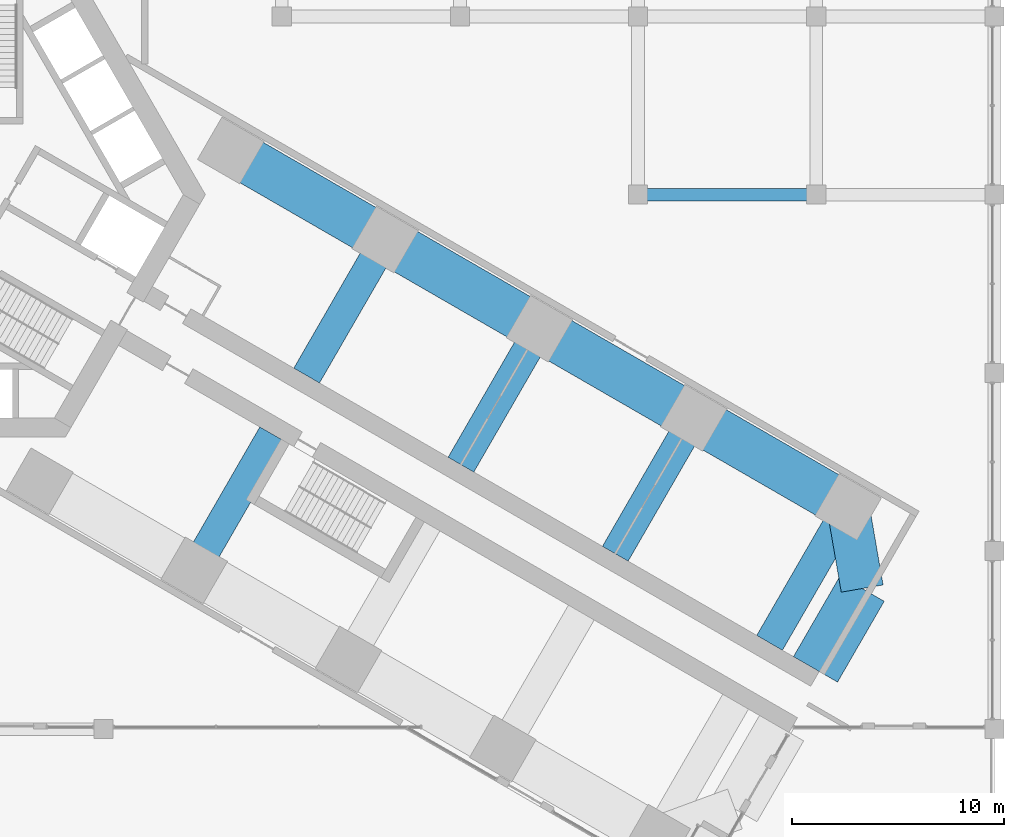
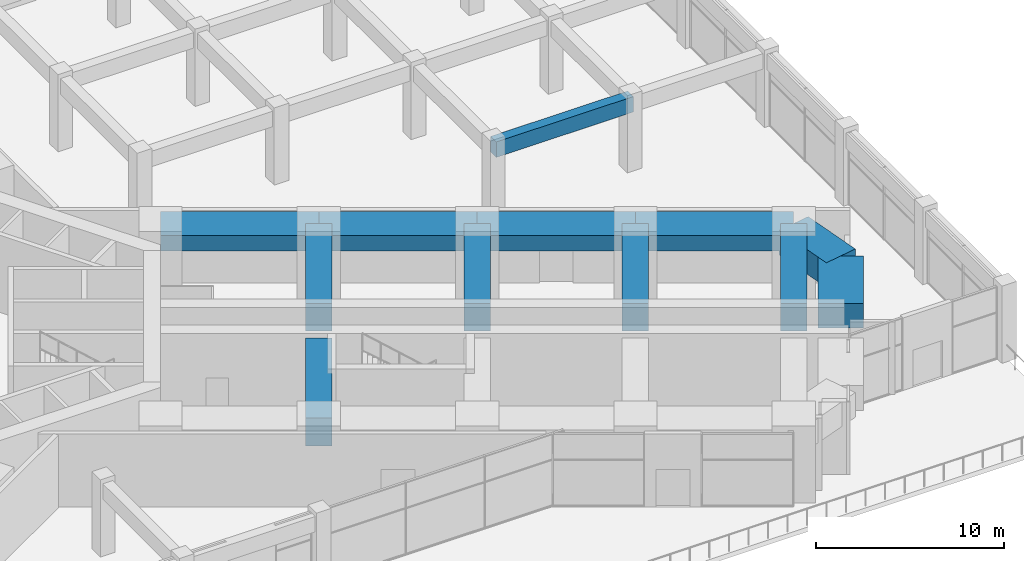
# One storey, part 12 of 34: 12 beams.
"""IFC4 building model written with IfcOpenShell, lengths in metres."""

from ifc_helpers import new_model, si_unit, direction, frame, origin, origin_2d, place, context, subcontext, project, spatial, rectangle, extrude, material, material_profile, profile_set, type_object, element, save


model = new_model("IFC4")

# Units and contexts
model_context = context("Model", 3, precision=1e-05, world=origin(), true_north=direction((0.0, 1.0)))
body_context = subcontext(model_context, "Body", "Model", "MODEL_VIEW")
ifc_project = project(units=[si_unit("LENGTHUNIT", "METRE"), si_unit("AREAUNIT", "SQUARE_METRE"), si_unit("VOLUMEUNIT", "CUBIC_METRE"), si_unit("PLANEANGLEUNIT", "RADIAN"), si_unit("MASSUNIT", "GRAM", prefix="KILO")], contexts=[model_context])

# Site, building, storey
site_placement = place(None, origin())
site = spatial("IfcSite", under=ifc_project, at=site_placement, CompositionType="ELEMENT")
building_placement = place(site_placement, origin())
building = spatial("IfcBuilding", under=site, at=building_placement, Name="Impinga Residences", CompositionType="ELEMENT")
storey_placement = place(building_placement, frame((0.0, 0.0, 11.0)))
storey = spatial("IfcBuildingStorey", under=building, at=storey_placement, Name="L02", CompositionType="ELEMENT", Elevation=11.0)

# Beams
ifc_material = material(Name="Concrete C60/75", Category="concrete")
ifc_material_profile_1 = material_profile(ifc_material, rectangle(XDim=2.0, YDim=1.60009765625, at=origin_2d()), Name="RC 2000x1600")
ifc_profile_set_1 = profile_set([ifc_material_profile_1], Name="Concrete C60/75")
beam_type_1 = type_object("IfcBeamType", Name="CB2 2000x1600 wing end cantilever beam", PredefinedType="BEAM", material=ifc_profile_set_1)
beam_1_placement = place(storey_placement, frame((43.49853515625, -14.721435546875, 3.89990234375), z_axis=(0.170296298948, -0.985392901621, 0.0), x_axis=(0.985392901621, 0.170296298948, 0.0)))
element("IfcBeam", 1, at=beam_1_placement, inside=storey, type_object=beam_type_1, Name="Beam CB2 EB E5-EX level L03", PredefinedType="BEAM", context=body_context, shape_type="SweptSolid", body=[
    extrude(rectangle(XDim=2.0, YDim=1.60009765625, at=origin_2d()), origin(), (0.0, 0.0, 1.0), 3.9052734375),
])
ifc_material_profile_2 = material_profile(ifc_material, rectangle(XDim=1.39990234375, YDim=1.800048828125, at=origin_2d()), Name="RC 1400x1800")
ifc_profile_set_2 = profile_set([ifc_material_profile_2], Name="Concrete C60/75")
beam_type_2 = type_object("IfcBeamType", Name="CG4 1400x1800 cross girder on a wing bay line under the podium floors", PredefinedType="BEAM", material=ifc_profile_set_2)
beam_2_placement = place(storey_placement, frame((17.974609375, -8.530029296875, 3.800048828125), z_axis=(0.500003285667, 0.866023506795, 0.0), x_axis=(-0.866023506795, 0.500003285667, 0.0)))
element("IfcBeam", 2, at=beam_2_placement, inside=storey, type_object=beam_type_2, Name="Beam CG4 E2 EC/EA level L03", PredefinedType="BEAM", context=body_context, shape_type="SweptSolid", body=[
    extrude(rectangle(XDim=1.39990234375, YDim=1.800048828125, at=origin_2d()), origin(), (0.0, 0.0, 1.0), 7.39990234375),
])
for number, where, z_axis, x_axis, name in (
    (3, (25.249267578125, -12.730224609375, 3.800048828125), (0.499988999718, 0.866031754707, 0.0), (-0.866031754707, 0.499988999718, 0.0), "Beam CG4 E3 EC/EA level L03"),
    (4, (32.52392578125, -16.93017578125, 3.800048828125), (0.499988999718, 0.866031754707, 0.0), (-0.866031754707, 0.499988999718, 0.0), "Beam CG4 E4 EC/EA level L03"),
    (5, (39.79833984375, -21.130126953125, 3.800048828125), (0.500013743233, 0.86601746898, 0.0), (-0.86601746898, 0.500013743233, 0.0), "Beam CG4 E5 EC/EA level L03"),
):
    element("IfcBeam", number, at=place(storey_placement, frame(where, z_axis=z_axis, x_axis=x_axis)), inside=storey, type_object=beam_type_2, Name=name, PredefinedType="BEAM", context=body_context, shape_type="SweptSolid", body=[
        extrude(rectangle(XDim=1.39990234375, YDim=1.800048828125, at=origin_2d()), origin(), (0.0, 0.0, 1.0), 7.400146484375),
    ])
beam_3_placement = place(storey_placement, frame((16.37451171875, -11.301513671875, 3.800048828125), z_axis=(-0.500003285667, -0.866023506795, 0.0), x_axis=(0.866023506795, -0.500003285667, 0.0)))
element("IfcBeam", 6, at=beam_3_placement, inside=storey, type_object=beam_type_2, Name="Beam CG4 E2 EC/EF level L03", PredefinedType="BEAM", context=body_context, shape_type="SweptSolid", body=[
    extrude(rectangle(XDim=1.39990234375, YDim=1.800048828125, at=origin_2d()), origin(), (0.0, 0.0, 1.0), 7.39990234375),
])
ifc_material_profile_3 = material_profile(ifc_material, rectangle(XDim=2.39990234375, YDim=1.60009765625, at=origin_2d()), Name="RC 2400x1600")
ifc_profile_set_3 = profile_set([ifc_material_profile_3], Name="Concrete C60/75")
beam_type_3 = type_object("IfcBeamType", Name="EB2 2400x1600 wing end beam", PredefinedType="BEAM", material=ifc_profile_set_3)
beam_4_placement = place(storey_placement, frame((44.16357421875, -18.569580078125, 3.89990234375), z_axis=(-0.499988222896, -0.866032203192, 0.0), x_axis=(0.866032203192, -0.499988222896, 0.0)))
element("IfcBeam", 7, at=beam_4_placement, inside=storey, type_object=beam_type_3, Name="Beam EB2 EX4 level L03", PredefinedType="BEAM", context=body_context, shape_type="SweptSolid", body=[
    extrude(rectangle(XDim=2.39990234375, YDim=1.60009765625, at=origin_2d()), origin(), (0.0, 0.0, 1.0), 4.39990234375),
])
ifc_material_profile_4 = material_profile(ifc_material, rectangle(XDim=0.60009765625, YDim=1.0, at=origin_2d()), Name="RC 600x1000")
ifc_profile_set_4 = profile_set([ifc_material_profile_4], Name="Concrete C60/75")
beam_type_4 = type_object("IfcBeamType", Name="PB2 600x1000 podium beam", PredefinedType="BEAM", material=ifc_profile_set_4)
beam_5_placement = place(storey_placement, frame((33.60009765625, 0.0, 4.199951171875), z_axis=(1.0, 0.0, 0.0), x_axis=(0.0, 1.0, 0.0)))
element("IfcBeam", 8, at=beam_5_placement, inside=storey, type_object=beam_type_4, Name="Beam PB2 F/11-12 level L03", PredefinedType="BEAM", context=body_context, shape_type="SweptSolid", body=[
    extrude(rectangle(XDim=0.60009765625, YDim=1.0, at=origin_2d()), origin(), (0.0, 0.0, 1.0), 8.39990234375),
])
ifc_material_profile_5 = material_profile(ifc_material, rectangle(XDim=2.199951171875, YDim=1.0, at=origin_2d()), Name="RC 2200x1000")
ifc_profile_set_5 = profile_set([ifc_material_profile_5], Name="Concrete C60/75")
beam_type_5 = type_object("IfcBeamType", Name="PB3 2200x1000 podium band beam", PredefinedType="BEAM", material=ifc_profile_set_5)
for number, where, z_axis, x_axis, name in (
    (9, (14.39990234375, 2.078369140625, 4.199951171875), (0.86602925447, -0.499993330357, 0.0), (0.499993330357, 0.86602925447, 0.0), "Beam PB3 EA E1-E2 level L03"),
    (10, (21.674560546875, -2.12158203125, 4.199951171875), (0.86602925447, -0.499993330357, 0.0), (0.499993330357, 0.86602925447, 0.0), "Beam PB3 EA E2-E3 level L03"),
    (11, (28.94921875, -6.321533203125, 4.199951171875), (0.86602925447, -0.499993330357, 0.0), (0.499993330357, 0.86602925447, 0.0), "Beam PB3 EA E3-E4 level L03"),
    (12, (36.223876953125, -10.521484375, 4.199951171875), (0.86602925447, -0.499993330357, 0.0), (0.499993330357, 0.86602925447, 0.0), "Beam PB3 EA E4-E5 level L03"),
):
    element("IfcBeam", number, at=place(storey_placement, frame(where, z_axis=z_axis, x_axis=x_axis)), inside=storey, type_object=beam_type_5, Name=name, PredefinedType="BEAM", context=body_context, shape_type="SweptSolid", body=[
        extrude(rectangle(XDim=2.199951171875, YDim=1.0, at=origin_2d()), origin(), (0.0, 0.0, 1.0), 8.39990234375),
    ])

save(model, "model.ifc")
